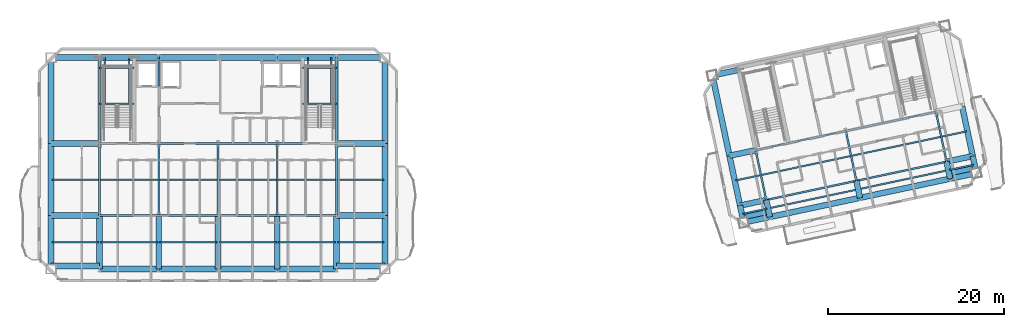
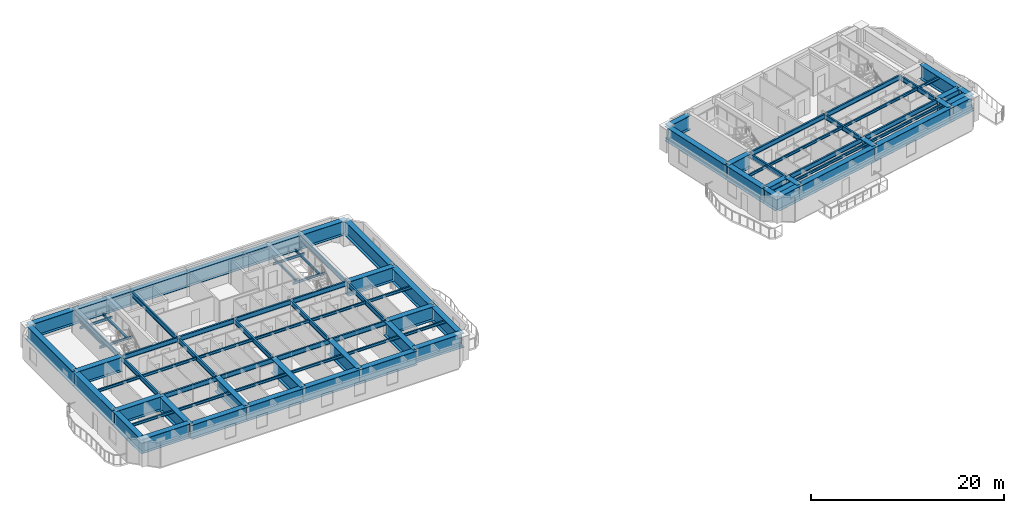
# One storey, part 3 of 16: 96 beams.
"""IFC4 building model written with IfcOpenShell, lengths in metres."""

from ifc_helpers import new_model, si_unit, direction, frame, origin, origin_2d, place, context, subcontext, project, spatial, i_section, extrude, material, material_profile, profile_set, type_object, element, save


model = new_model("IFC4")

# Units and contexts
model_context = context("Model", 3, precision=1e-05, world=origin(), true_north=direction((0.0, 1.0)))
body_context = subcontext(model_context, "Body", "Model", "MODEL_VIEW")
ifc_project = project(units=[si_unit("LENGTHUNIT", "METRE"), si_unit("AREAUNIT", "SQUARE_METRE"), si_unit("VOLUMEUNIT", "CUBIC_METRE"), si_unit("PLANEANGLEUNIT", "RADIAN"), si_unit("MASSUNIT", "GRAM", prefix="KILO")], contexts=[model_context])

# Site, building, storey
site_placement = place(None, origin())
site = spatial("IfcSite", under=ifc_project, at=site_placement, CompositionType="ELEMENT")
building_placement = place(site_placement, origin())
building = spatial("IfcBuilding", under=site, at=building_placement, Name="Haevon Station Towers", CompositionType="ELEMENT")
storey_placement = place(building_placement, frame((0.0, 0.0, 215.39990234375)))
storey = spatial("IfcBuildingStorey", under=building, at=storey_placement, Name="L59", CompositionType="ELEMENT", Elevation=215.39990234375)

# Beams
ifc_material_1 = material(Name="Steel S355", Category="steel")
ifc_material_profile_1 = material_profile(ifc_material_1, i_section(OverallWidth=0.199951171875, OverallDepth=0.60009765625, WebThickness=0.010986328125, FlangeThickness=0.01708984375, at=origin_2d()), Name="H-600x200x11x17")
ifc_profile_set_1 = profile_set([ifc_material_profile_1], Name="Steel S355")
beam_type_1 = type_object("IfcBeamType", Name="BM-G600", PredefinedType="BEAM", material=ifc_profile_set_1)
for number, where, z_axis, x_axis, name in (
    (1, (24.0, 30.0, 2.75), (1.0, 0.0, 0.0), (0.0, 1.0, 0.0), "BM-T1U-L59-02-02"),
    (2, (30.75, 30.0, 2.75), (1.0, 0.0, 0.0), (0.0, 1.0, 0.0), "BM-T1U-L59-02-03"),
    (3, (37.5, 30.0, 2.75), (1.0, 0.0, 0.0), (0.0, 1.0, 0.0), "BM-T1U-L59-02-04"),
    (4, (44.25, 30.0, 2.75), (1.0, 0.0, 0.0), (0.0, 1.0, 0.0), "BM-T1U-L59-02-05"),
    (5, (24.0, 38.199951171875, 2.75), (1.0, 0.0, 0.0), (0.0, 1.0, 0.0), "BM-T1U-L59-03-02"),
    (6, (30.75, 38.199951171875, 2.75), (1.0, 0.0, 0.0), (0.0, 1.0, 0.0), "BM-T1U-L59-03-03"),
    (7, (37.5, 38.199951171875, 2.75), (1.0, 0.0, 0.0), (0.0, 1.0, 0.0), "BM-T1U-L59-03-04"),
    (8, (44.25, 38.199951171875, 2.75), (1.0, 0.0, 0.0), (0.0, 1.0, 0.0), "BM-T1U-L59-03-05"),
):
    element("IfcBeam", number, at=place(storey_placement, frame(where, z_axis=z_axis, x_axis=x_axis)), inside=storey, type_object=beam_type_1, Name=name, PredefinedType="BEAM", context=body_context, shape_type="SweptSolid", body=[
        extrude(i_section(OverallWidth=0.199951171875, OverallDepth=0.60009765625, WebThickness=0.010986328125, FlangeThickness=0.01708984375, at=origin_2d()), origin(), (0.0, 0.0, 1.0), 6.75),
    ])
beam_1_placement = place(storey_placement, frame((24.0, 30.0, 2.75), z_axis=(0.0, 1.0, 0.0), x_axis=(-1.0, 0.0, 0.0)))
element("IfcBeam", 9, at=beam_1_placement, inside=storey, type_object=beam_type_1, Name="BM-T1V-L59-02-02", PredefinedType="BEAM", context=body_context, shape_type="SweptSolid", body=[
    extrude(i_section(OverallWidth=0.199951171875, OverallDepth=0.60009765625, WebThickness=0.010986328125, FlangeThickness=0.01708984375, at=origin_2d()), origin(), (0.0, 0.0, 1.0), 8.199951171875),
])
beam_2_placement = place(storey_placement, frame((24.0, 38.199951171875, 2.75), z_axis=(0.0, 1.0, 0.0), x_axis=(-1.0, 0.0, 0.0)))
element("IfcBeam", 10, at=beam_2_placement, inside=storey, type_object=beam_type_1, Name="BM-T1V-L59-02-03", PredefinedType="BEAM", context=body_context, shape_type="SweptSolid", body=[
    extrude(i_section(OverallWidth=0.199951171875, OverallDepth=0.60009765625, WebThickness=0.010986328125, FlangeThickness=0.01708984375, at=origin_2d()), origin(), (0.0, 0.0, 1.0), 9.800048828125),
])
beam_3_placement = place(storey_placement, frame((30.75, 30.0, 2.75), z_axis=(0.0, 1.0, 0.0), x_axis=(-1.0, 0.0, 0.0)))
element("IfcBeam", 11, at=beam_3_placement, inside=storey, type_object=beam_type_1, Name="BM-T1V-L59-03-02", PredefinedType="BEAM", context=body_context, shape_type="SweptSolid", body=[
    extrude(i_section(OverallWidth=0.199951171875, OverallDepth=0.60009765625, WebThickness=0.010986328125, FlangeThickness=0.01708984375, at=origin_2d()), origin(), (0.0, 0.0, 1.0), 8.199951171875),
])
beam_4_placement = place(storey_placement, frame((30.75, 38.199951171875, 2.75), z_axis=(0.0, 1.0, 0.0), x_axis=(-1.0, 0.0, 0.0)))
element("IfcBeam", 12, at=beam_4_placement, inside=storey, type_object=beam_type_1, Name="BM-T1V-L59-03-03", PredefinedType="BEAM", context=body_context, shape_type="SweptSolid", body=[
    extrude(i_section(OverallWidth=0.199951171875, OverallDepth=0.60009765625, WebThickness=0.010986328125, FlangeThickness=0.01708984375, at=origin_2d()), origin(), (0.0, 0.0, 1.0), 9.800048828125),
])
for number, where, z_axis, x_axis, name in (
    (13, (37.5, 30.0, 2.75), (0.0, 1.0, 0.0), (-1.0, 0.0, 0.0), "BM-T1V-L59-04-02"),
    (14, (44.25, 30.0, 2.75), (0.0, 1.0, 0.0), (-1.0, 0.0, 0.0), "BM-T1V-L59-05-02"),
    (15, (51.0, 30.0, 2.75), (0.0, 1.0, 0.0), (-1.0, 0.0, 0.0), "BM-T1V-L59-06-02"),
):
    element("IfcBeam", number, at=place(storey_placement, frame(where, z_axis=z_axis, x_axis=x_axis)), inside=storey, type_object=beam_type_1, Name=name, PredefinedType="BEAM", context=body_context, shape_type="SweptSolid", body=[
        extrude(i_section(OverallWidth=0.199951171875, OverallDepth=0.60009765625, WebThickness=0.010986328125, FlangeThickness=0.01708984375, at=origin_2d()), origin(), (0.0, 0.0, 1.0), 8.199951171875),
    ])
beam_5_placement = place(storey_placement, frame((51.0, 38.199951171875, 2.75), z_axis=(0.0, 1.0, 0.0), x_axis=(-1.0, 0.0, 0.0)))
element("IfcBeam", 16, at=beam_5_placement, inside=storey, type_object=beam_type_1, Name="BM-T1V-L59-06-03", PredefinedType="BEAM", context=body_context, shape_type="SweptSolid", body=[
    extrude(i_section(OverallWidth=0.199951171875, OverallDepth=0.60009765625, WebThickness=0.010986328125, FlangeThickness=0.01708984375, at=origin_2d()), origin(), (0.0, 0.0, 1.0), 9.800048828125),
])
for number, where, z_axis, x_axis, name in (
    (17, (99.958251953125, 31.76904296875, 2.75), (0.978146794194, 0.207915485254, 0.0), (-0.207915485254, 0.978146794194, 0.0), "BM-T2U-L59-02-02"),
    (18, (110.228759765625, 33.9521484375, 2.75), (0.978146794194, 0.207915485254, 0.0), (-0.207915485254, 0.978146794194, 0.0), "BM-T2U-L59-02-03"),
    (19, (98.75244140625, 37.4423828125, 2.75), (0.978146794194, 0.207915485254, 0.0), (-0.207915485254, 0.978146794194, 0.0), "BM-T2U-L59-03-02"),
    (20, (109.02294921875, 39.62548828125, 2.75), (0.978146794194, 0.207915485254, 0.0), (-0.207915485254, 0.978146794194, 0.0), "BM-T2U-L59-03-03"),
):
    element("IfcBeam", number, at=place(storey_placement, frame(where, z_axis=z_axis, x_axis=x_axis)), inside=storey, type_object=beam_type_1, Name=name, PredefinedType="BEAM", context=body_context, shape_type="SweptSolid", body=[
        extrude(i_section(OverallWidth=0.199951171875, OverallDepth=0.60009765625, WebThickness=0.010986328125, FlangeThickness=0.01708984375, at=origin_2d()), origin(), (0.0, 0.0, 1.0), 10.5),
    ])
for number, where, z_axis, x_axis, name in (
    (21, (99.958251953125, 31.76904296875, 2.75), (-0.207896009217, 0.97815093383, 0.0), (-0.97815093383, -0.207896009217, 0.0), "BM-T2V-L59-02-02"),
    (22, (110.228759765625, 33.9521484375, 2.75), (-0.207896009217, 0.97815093383, 0.0), (-0.97815093383, -0.207896009217, 0.0), "BM-T2V-L59-03-02"),
    (23, (120.499267578125, 36.13525390625, 2.75), (-0.207896009217, 0.97815093383, 0.0), (-0.97815093383, -0.207896009217, 0.0), "BM-T2V-L59-04-02"),
):
    element("IfcBeam", number, at=place(storey_placement, frame(where, z_axis=z_axis, x_axis=x_axis)), inside=storey, type_object=beam_type_1, Name=name, PredefinedType="BEAM", context=body_context, shape_type="SweptSolid", body=[
        extrude(i_section(OverallWidth=0.199951171875, OverallDepth=0.60009765625, WebThickness=0.010986328125, FlangeThickness=0.01708984375, at=origin_2d()), origin(), (0.0, 0.0, 1.0), 5.800048828125),
    ])
ifc_material_profile_2 = material_profile(ifc_material_1, i_section(OverallWidth=0.175048828125, OverallDepth=0.35009765625, WebThickness=0.007080078125, FlangeThickness=0.010986328125, at=origin_2d()), Name="H-350x175x7x11")
ifc_profile_set_2 = profile_set([ifc_material_profile_2], Name="Steel S355")
beam_type_2 = type_object("IfcBeamType", Name="BM-J350", PredefinedType="JOIST", material=ifc_profile_set_2)
beam_6_placement = place(storey_placement, frame((18.5849609375, 26.949951171875, 2.875), z_axis=(1.0, 0.0, 0.0), x_axis=(0.0, 1.0, 0.0)))
element("IfcBeam", 24, at=beam_6_placement, inside=storey, type_object=beam_type_2, Name="BM-T1J-L59-01-01", PredefinedType="JOIST", context=body_context, shape_type="SweptSolid", body=[
    extrude(i_section(OverallWidth=0.175048828125, OverallDepth=0.35009765625, WebThickness=0.007080078125, FlangeThickness=0.010986328125, at=origin_2d()), origin(), (0.0, 0.0, 1.0), 5.304931640625),
])
for number, where, z_axis, x_axis, name in (
    (25, (24.110107421875, 26.949951171875, 2.875), (1.0, 0.0, 0.0), (0.0, 1.0, 0.0), "BM-T1J-L59-01-02"),
    (26, (30.860107421875, 26.949951171875, 2.875), (1.0, 0.0, 0.0), (0.0, 1.0, 0.0), "BM-T1J-L59-01-03"),
    (27, (37.610107421875, 26.949951171875, 2.875), (1.0, 0.0, 0.0), (0.0, 1.0, 0.0), "BM-T1J-L59-01-04"),
    (28, (44.360107421875, 26.949951171875, 2.875), (1.0, 0.0, 0.0), (0.0, 1.0, 0.0), "BM-T1J-L59-01-05"),
):
    element("IfcBeam", number, at=place(storey_placement, frame(where, z_axis=z_axis, x_axis=x_axis)), inside=storey, type_object=beam_type_2, Name=name, PredefinedType="JOIST", context=body_context, shape_type="SweptSolid", body=[
        extrude(i_section(OverallWidth=0.175048828125, OverallDepth=0.35009765625, WebThickness=0.007080078125, FlangeThickness=0.010986328125, at=origin_2d()), origin(), (0.0, 0.0, 1.0), 6.52978515625),
    ])
for number, where, z_axis, x_axis, name in (
    (29, (51.110107421875, 26.949951171875, 2.875), (1.0, 0.0, 0.0), (0.0, 1.0, 0.0), "BM-T1J-L59-01-06"),
    (30, (18.5849609375, 34.10009765625, 2.875), (1.0, 0.0, 0.0), (0.0, 1.0, 0.0), "BM-T1J-L59-02-01"),
):
    element("IfcBeam", number, at=place(storey_placement, frame(where, z_axis=z_axis, x_axis=x_axis)), inside=storey, type_object=beam_type_2, Name=name, PredefinedType="JOIST", context=body_context, shape_type="SweptSolid", body=[
        extrude(i_section(OverallWidth=0.175048828125, OverallDepth=0.35009765625, WebThickness=0.007080078125, FlangeThickness=0.010986328125, at=origin_2d()), origin(), (0.0, 0.0, 1.0), 5.304931640625),
    ])
for number, where, z_axis, x_axis, name in (
    (31, (24.110107421875, 34.10009765625, 2.875), (1.0, 0.0, 0.0), (0.0, 1.0, 0.0), "BM-T1J-L59-02-02"),
    (32, (30.860107421875, 34.10009765625, 2.875), (1.0, 0.0, 0.0), (0.0, 1.0, 0.0), "BM-T1J-L59-02-03"),
    (33, (37.610107421875, 34.10009765625, 2.875), (1.0, 0.0, 0.0), (0.0, 1.0, 0.0), "BM-T1J-L59-02-04"),
    (34, (44.360107421875, 34.10009765625, 2.875), (1.0, 0.0, 0.0), (0.0, 1.0, 0.0), "BM-T1J-L59-02-05"),
):
    element("IfcBeam", number, at=place(storey_placement, frame(where, z_axis=z_axis, x_axis=x_axis)), inside=storey, type_object=beam_type_2, Name=name, PredefinedType="JOIST", context=body_context, shape_type="SweptSolid", body=[
        extrude(i_section(OverallWidth=0.175048828125, OverallDepth=0.35009765625, WebThickness=0.007080078125, FlangeThickness=0.010986328125, at=origin_2d()), origin(), (0.0, 0.0, 1.0), 6.52978515625),
    ])
beam_7_placement = place(storey_placement, frame((51.110107421875, 34.10009765625, 2.875), z_axis=(1.0, 0.0, 0.0), x_axis=(0.0, 1.0, 0.0)))
element("IfcBeam", 35, at=beam_7_placement, inside=storey, type_object=beam_type_2, Name="BM-T1J-L59-02-06", PredefinedType="JOIST", context=body_context, shape_type="SweptSolid", body=[
    extrude(i_section(OverallWidth=0.175048828125, OverallDepth=0.35009765625, WebThickness=0.007080078125, FlangeThickness=0.010986328125, at=origin_2d()), origin(), (0.0, 0.0, 1.0), 5.304931640625),
])
beam_8_placement = place(storey_placement, frame((97.288330078125, 30.189453125, 2.875), z_axis=(0.9781470094, 0.207914472804, 0.0), x_axis=(-0.207914472804, 0.9781470094, 0.0)))
element("IfcBeam", 36, at=beam_8_placement, inside=storey, type_object=beam_type_2, Name="BM-T2J-L59-01-01", PredefinedType="JOIST", context=body_context, shape_type="SweptSolid", body=[
    extrude(i_section(OverallWidth=0.175048828125, OverallDepth=0.35009765625, WebThickness=0.007080078125, FlangeThickness=0.010986328125, at=origin_2d()), origin(), (0.0, 0.0, 1.0), 2.829833984375),
])
beam_9_placement = place(storey_placement, frame((100.271728515625, 30.82373046875, 2.875), z_axis=(0.978149313139, 0.20790363442, 0.0), x_axis=(-0.20790363442, 0.978149313139, 0.0)))
element("IfcBeam", 37, at=beam_9_placement, inside=storey, type_object=beam_type_2, Name="BM-T2J-L59-01-02", PredefinedType="JOIST", context=body_context, shape_type="SweptSolid", body=[
    extrude(i_section(OverallWidth=0.175048828125, OverallDepth=0.35009765625, WebThickness=0.007080078125, FlangeThickness=0.010986328125, at=origin_2d()), origin(), (0.0, 0.0, 1.0), 10.27978515625),
])
beam_10_placement = place(storey_placement, frame((110.542236328125, 33.0068359375, 2.875), z_axis=(0.978150339653, 0.207898804801, 0.0), x_axis=(-0.207898804801, 0.978150339653, 0.0)))
element("IfcBeam", 38, at=beam_10_placement, inside=storey, type_object=beam_type_2, Name="BM-T2J-L59-01-03", PredefinedType="JOIST", context=body_context, shape_type="SweptSolid", body=[
    extrude(i_section(OverallWidth=0.175048828125, OverallDepth=0.35009765625, WebThickness=0.007080078125, FlangeThickness=0.010986328125, at=origin_2d()), origin(), (0.0, 0.0, 1.0), 10.280029296875),
])
beam_11_placement = place(storey_placement, frame((120.812744140625, 35.189697265625, 2.875), z_axis=(0.9781470094, 0.207914472804, 0.0), x_axis=(-0.207914472804, 0.9781470094, 0.0)))
element("IfcBeam", 39, at=beam_11_placement, inside=storey, type_object=beam_type_2, Name="BM-T2J-L59-01-04", PredefinedType="JOIST", context=body_context, shape_type="SweptSolid", body=[
    extrude(i_section(OverallWidth=0.175048828125, OverallDepth=0.35009765625, WebThickness=0.007080078125, FlangeThickness=0.010986328125, at=origin_2d()), origin(), (0.0, 0.0, 1.0), 2.829833984375),
])
beam_12_placement = place(storey_placement, frame((96.4794921875, 33.99462890625, 2.875), z_axis=(0.978150738312, 0.207896929124, 0.0), x_axis=(-0.207896929124, 0.978150738312, 0.0)))
element("IfcBeam", 40, at=beam_12_placement, inside=storey, type_object=beam_type_2, Name="BM-T2J-L59-02-01", PredefinedType="JOIST", context=body_context, shape_type="SweptSolid", body=[
    extrude(i_section(OverallWidth=0.175048828125, OverallDepth=0.35009765625, WebThickness=0.007080078125, FlangeThickness=0.010986328125, at=origin_2d()), origin(), (0.0, 0.0, 1.0), 2.830078125),
])
for number, where, z_axis, x_axis, name in (
    (41, (99.462890625, 34.628662109375, 2.875), (0.978150339653, 0.207898804801, 0.0), (-0.207898804801, 0.978150339653, 0.0), "BM-T2J-L59-02-02"),
    (42, (109.7333984375, 36.811767578125, 2.875), (0.978150339653, 0.207898804801, 0.0), (-0.207898804801, 0.978150339653, 0.0), "BM-T2J-L59-02-03"),
):
    element("IfcBeam", number, at=place(storey_placement, frame(where, z_axis=z_axis, x_axis=x_axis)), inside=storey, type_object=beam_type_2, Name=name, PredefinedType="JOIST", context=body_context, shape_type="SweptSolid", body=[
        extrude(i_section(OverallWidth=0.175048828125, OverallDepth=0.35009765625, WebThickness=0.007080078125, FlangeThickness=0.010986328125, at=origin_2d()), origin(), (0.0, 0.0, 1.0), 10.280029296875),
    ])
beam_13_placement = place(storey_placement, frame((120.00390625, 38.994873046875, 2.875), z_axis=(0.978150738312, 0.207896929124, 0.0), x_axis=(-0.207896929124, 0.978150738312, 0.0)))
element("IfcBeam", 43, at=beam_13_placement, inside=storey, type_object=beam_type_2, Name="BM-T2J-L59-02-04", PredefinedType="JOIST", context=body_context, shape_type="SweptSolid", body=[
    extrude(i_section(OverallWidth=0.175048828125, OverallDepth=0.35009765625, WebThickness=0.007080078125, FlangeThickness=0.010986328125, at=origin_2d()), origin(), (0.0, 0.0, 1.0), 2.830078125),
])
ifc_material_profile_3 = material_profile(ifc_material_1, i_section(OverallWidth=0.14990234375, OverallDepth=0.300048828125, WebThickness=0.006591796875, FlangeThickness=0.009033203125, at=origin_2d()), Name="H-300x150x6.5x9")
ifc_profile_set_3 = profile_set([ifc_material_profile_3], Name="Steel S355")
beam_type_3 = type_object("IfcBeamType", Name="BM-LIN300", PredefinedType="LINTEL", material=ifc_profile_set_3)
for number, where, z_axis, x_axis, name in (
    (44, (24.0, 42.743896484375, 1.300048828125), (1.0, 0.0, 0.0), (0.0, 1.0, 0.0), "BM-ST1L-L59-1-S"),
    (45, (24.0, 46.820068359375, 1.300048828125), (1.0, 0.0, 0.0), (0.0, 1.0, 0.0), "BM-ST1L-L59-1-N"),
):
    element("IfcBeam", number, at=place(storey_placement, frame(where, z_axis=z_axis, x_axis=x_axis)), inside=storey, type_object=beam_type_3, Name=name, PredefinedType="LINTEL", context=body_context, shape_type="SweptSolid", body=[
        extrude(i_section(OverallWidth=0.14990234375, OverallDepth=0.300048828125, WebThickness=0.006591796875, FlangeThickness=0.009033203125, at=origin_2d()), origin(), (0.0, 0.0, 1.0), 3.949951171875),
    ])
for number, where, z_axis, x_axis, name in (
    (46, (24.60009765625, 42.743896484375, 1.300048828125), (0.0, 1.0, 0.0), (-1.0, 0.0, 0.0), "BM-ST1L-L59-1-W"),
    (47, (27.35009765625, 42.743896484375, 1.300048828125), (0.0, 1.0, 0.0), (-1.0, 0.0, 0.0), "BM-ST1L-L59-1-E"),
):
    element("IfcBeam", number, at=place(storey_placement, frame(where, z_axis=z_axis, x_axis=x_axis)), inside=storey, type_object=beam_type_3, Name=name, PredefinedType="LINTEL", context=body_context, shape_type="SweptSolid", body=[
        extrude(i_section(OverallWidth=0.14990234375, OverallDepth=0.300048828125, WebThickness=0.006591796875, FlangeThickness=0.009033203125, at=origin_2d()), origin(), (0.0, 0.0, 1.0), 5.256103515625),
    ])
for number, where, z_axis, x_axis, name in (
    (48, (47.14990234375, 42.743896484375, 1.300048828125), (1.0, 0.0, 0.0), (0.0, 1.0, 0.0), "BM-ST2L-L59-1-S"),
    (49, (47.14990234375, 46.820068359375, 1.300048828125), (1.0, 0.0, 0.0), (0.0, 1.0, 0.0), "BM-ST2L-L59-1-N"),
):
    element("IfcBeam", number, at=place(storey_placement, frame(where, z_axis=z_axis, x_axis=x_axis)), inside=storey, type_object=beam_type_3, Name=name, PredefinedType="LINTEL", context=body_context, shape_type="SweptSolid", body=[
        extrude(i_section(OverallWidth=0.14990234375, OverallDepth=0.300048828125, WebThickness=0.006591796875, FlangeThickness=0.009033203125, at=origin_2d()), origin(), (0.0, 0.0, 1.0), 3.85009765625),
    ])
for number, where, z_axis, x_axis, name in (
    (50, (47.75, 42.743896484375, 1.300048828125), (0.0, 1.0, 0.0), (-1.0, 0.0, 0.0), "BM-ST2L-L59-1-W"),
    (51, (50.39990234375, 42.743896484375, 1.300048828125), (0.0, 1.0, 0.0), (-1.0, 0.0, 0.0), "BM-ST2L-L59-1-E"),
):
    element("IfcBeam", number, at=place(storey_placement, frame(where, z_axis=z_axis, x_axis=x_axis)), inside=storey, type_object=beam_type_3, Name=name, PredefinedType="LINTEL", context=body_context, shape_type="SweptSolid", body=[
        extrude(i_section(OverallWidth=0.14990234375, OverallDepth=0.300048828125, WebThickness=0.006591796875, FlangeThickness=0.009033203125, at=origin_2d()), origin(), (0.0, 0.0, 1.0), 5.256103515625),
    ])
ifc_material_2 = material(Name="Steel S460", Category="steel")
ifc_material_profile_4 = material_profile(ifc_material_2, i_section(OverallWidth=0.64990234375, OverallDepth=1.800048828125, WebThickness=0.02490234375, FlangeThickness=0.0400390625, at=origin_2d()), Name="H-1800x650x25x40")
ifc_profile_set_4 = profile_set([ifc_material_profile_4], Name="Steel S460")
beam_type_4 = type_object("IfcBeamType", Name="BM-TG1800", PredefinedType="BEAM", material=ifc_profile_set_4)
for number, where, z_axis, x_axis, name in (
    (52, (24.0, 23.89990234375, 2.150146484375), (1.0, 0.0, 0.0), (0.0, 1.0, 0.0), "BM-T1U-L59-01-02"),
    (53, (30.75, 23.89990234375, 2.150146484375), (1.0, 0.0, 0.0), (0.0, 1.0, 0.0), "BM-T1U-L59-01-03"),
    (54, (37.5, 23.89990234375, 2.150146484375), (1.0, 0.0, 0.0), (0.0, 1.0, 0.0), "BM-T1U-L59-01-04"),
    (55, (44.25, 23.89990234375, 2.150146484375), (1.0, 0.0, 0.0), (0.0, 1.0, 0.0), "BM-T1U-L59-01-05"),
):
    element("IfcBeam", number, at=place(storey_placement, frame(where, z_axis=z_axis, x_axis=x_axis)), inside=storey, type_object=beam_type_4, Name=name, PredefinedType="BEAM", context=body_context, shape_type="SweptSolid", body=[
        extrude(i_section(OverallWidth=0.64990234375, OverallDepth=1.800048828125, WebThickness=0.02490234375, FlangeThickness=0.0400390625, at=origin_2d()), origin(), (0.0, 0.0, 1.0), 6.75),
    ])
for number, where, z_axis, x_axis, name in (
    (56, (18.47509765625, 30.0, 2.150146484375), (1.0, 0.0, 0.0), (0.0, 1.0, 0.0), "BM-T1U-L59-02-01"),
    (57, (51.0, 30.0, 2.150146484375), (1.0, 0.0, 0.0), (0.0, 1.0, 0.0), "BM-T1U-L59-02-06"),
    (58, (18.47509765625, 38.199951171875, 2.150146484375), (1.0, 0.0, 0.0), (0.0, 1.0, 0.0), "BM-T1U-L59-03-01"),
    (59, (51.0, 38.199951171875, 2.150146484375), (1.0, 0.0, 0.0), (0.0, 1.0, 0.0), "BM-T1U-L59-03-06"),
    (60, (18.47509765625, 48.0, 2.150146484375), (1.0, 0.0, 0.0), (0.0, 1.0, 0.0), "BM-T1U-L59-04-01"),
):
    element("IfcBeam", number, at=place(storey_placement, frame(where, z_axis=z_axis, x_axis=x_axis)), inside=storey, type_object=beam_type_4, Name=name, PredefinedType="BEAM", context=body_context, shape_type="SweptSolid", body=[
        extrude(i_section(OverallWidth=0.64990234375, OverallDepth=1.800048828125, WebThickness=0.02490234375, FlangeThickness=0.0400390625, at=origin_2d()), origin(), (0.0, 0.0, 1.0), 5.52490234375),
    ])
for number, where, z_axis, x_axis, name in (
    (61, (24.0, 48.0, 2.150146484375), (1.0, 0.0, 0.0), (0.0, 1.0, 0.0), "BM-T1U-L59-04-02"),
    (62, (30.75, 48.0, 2.150146484375), (1.0, 0.0, 0.0), (0.0, 1.0, 0.0), "BM-T1U-L59-04-03"),
    (63, (37.5, 48.0, 2.150146484375), (1.0, 0.0, 0.0), (0.0, 1.0, 0.0), "BM-T1U-L59-04-04"),
    (64, (44.25, 48.0, 2.150146484375), (1.0, 0.0, 0.0), (0.0, 1.0, 0.0), "BM-T1U-L59-04-05"),
):
    element("IfcBeam", number, at=place(storey_placement, frame(where, z_axis=z_axis, x_axis=x_axis)), inside=storey, type_object=beam_type_4, Name=name, PredefinedType="BEAM", context=body_context, shape_type="SweptSolid", body=[
        extrude(i_section(OverallWidth=0.64990234375, OverallDepth=1.800048828125, WebThickness=0.02490234375, FlangeThickness=0.0400390625, at=origin_2d()), origin(), (0.0, 0.0, 1.0), 6.75),
    ])
beam_14_placement = place(storey_placement, frame((51.0, 48.0, 2.150146484375), z_axis=(1.0, 0.0, 0.0), x_axis=(0.0, 1.0, 0.0)))
element("IfcBeam", 65, at=beam_14_placement, inside=storey, type_object=beam_type_4, Name="BM-T1U-L59-04-06", PredefinedType="BEAM", context=body_context, shape_type="SweptSolid", body=[
    extrude(i_section(OverallWidth=0.64990234375, OverallDepth=1.800048828125, WebThickness=0.02490234375, FlangeThickness=0.0400390625, at=origin_2d()), origin(), (0.0, 0.0, 1.0), 5.52490234375),
])
beam_15_placement = place(storey_placement, frame((18.47509765625, 23.89990234375, 2.150146484375), z_axis=(0.0, 1.0, 0.0), x_axis=(-1.0, 0.0, 0.0)))
element("IfcBeam", 66, at=beam_15_placement, inside=storey, type_object=beam_type_4, Name="BM-T1V-L59-01-01", PredefinedType="BEAM", context=body_context, shape_type="SweptSolid", body=[
    extrude(i_section(OverallWidth=0.64990234375, OverallDepth=1.800048828125, WebThickness=0.02490234375, FlangeThickness=0.0400390625, at=origin_2d()), origin(), (0.0, 0.0, 1.0), 6.10009765625),
])
beam_16_placement = place(storey_placement, frame((18.47509765625, 30.0, 2.150146484375), z_axis=(0.0, 1.0, 0.0), x_axis=(-1.0, 0.0, 0.0)))
element("IfcBeam", 67, at=beam_16_placement, inside=storey, type_object=beam_type_4, Name="BM-T1V-L59-01-02", PredefinedType="BEAM", context=body_context, shape_type="SweptSolid", body=[
    extrude(i_section(OverallWidth=0.64990234375, OverallDepth=1.800048828125, WebThickness=0.02490234375, FlangeThickness=0.0400390625, at=origin_2d()), origin(), (0.0, 0.0, 1.0), 8.199951171875),
])
beam_17_placement = place(storey_placement, frame((18.47509765625, 38.199951171875, 2.150146484375), z_axis=(0.0, 1.0, 0.0), x_axis=(-1.0, 0.0, 0.0)))
element("IfcBeam", 68, at=beam_17_placement, inside=storey, type_object=beam_type_4, Name="BM-T1V-L59-01-03", PredefinedType="BEAM", context=body_context, shape_type="SweptSolid", body=[
    extrude(i_section(OverallWidth=0.64990234375, OverallDepth=1.800048828125, WebThickness=0.02490234375, FlangeThickness=0.0400390625, at=origin_2d()), origin(), (0.0, 0.0, 1.0), 9.800048828125),
])
for number, where, z_axis, x_axis, name in (
    (69, (24.0, 23.89990234375, 2.150146484375), (0.0, 1.0, 0.0), (-1.0, 0.0, 0.0), "BM-T1V-L59-02-01"),
    (70, (30.75, 23.89990234375, 2.150146484375), (0.0, 1.0, 0.0), (-1.0, 0.0, 0.0), "BM-T1V-L59-03-01"),
    (71, (37.5, 23.89990234375, 2.150146484375), (0.0, 1.0, 0.0), (-1.0, 0.0, 0.0), "BM-T1V-L59-04-01"),
    (72, (44.25, 23.89990234375, 2.150146484375), (0.0, 1.0, 0.0), (-1.0, 0.0, 0.0), "BM-T1V-L59-05-01"),
    (73, (51.0, 23.89990234375, 2.150146484375), (0.0, 1.0, 0.0), (-1.0, 0.0, 0.0), "BM-T1V-L59-06-01"),
    (74, (56.52490234375, 23.89990234375, 2.150146484375), (0.0, 1.0, 0.0), (-1.0, 0.0, 0.0), "BM-T1V-L59-07-01"),
):
    element("IfcBeam", number, at=place(storey_placement, frame(where, z_axis=z_axis, x_axis=x_axis)), inside=storey, type_object=beam_type_4, Name=name, PredefinedType="BEAM", context=body_context, shape_type="SweptSolid", body=[
        extrude(i_section(OverallWidth=0.64990234375, OverallDepth=1.800048828125, WebThickness=0.02490234375, FlangeThickness=0.0400390625, at=origin_2d()), origin(), (0.0, 0.0, 1.0), 6.10009765625),
    ])
beam_18_placement = place(storey_placement, frame((56.52490234375, 30.0, 2.150146484375), z_axis=(0.0, 1.0, 0.0), x_axis=(-1.0, 0.0, 0.0)))
element("IfcBeam", 75, at=beam_18_placement, inside=storey, type_object=beam_type_4, Name="BM-T1V-L59-07-02", PredefinedType="BEAM", context=body_context, shape_type="SweptSolid", body=[
    extrude(i_section(OverallWidth=0.64990234375, OverallDepth=1.800048828125, WebThickness=0.02490234375, FlangeThickness=0.0400390625, at=origin_2d()), origin(), (0.0, 0.0, 1.0), 8.199951171875),
])
beam_19_placement = place(storey_placement, frame((56.52490234375, 38.199951171875, 2.150146484375), z_axis=(0.0, 1.0, 0.0), x_axis=(-1.0, 0.0, 0.0)))
element("IfcBeam", 76, at=beam_19_placement, inside=storey, type_object=beam_type_4, Name="BM-T1V-L59-07-03", PredefinedType="BEAM", context=body_context, shape_type="SweptSolid", body=[
    extrude(i_section(OverallWidth=0.64990234375, OverallDepth=1.800048828125, WebThickness=0.02490234375, FlangeThickness=0.0400390625, at=origin_2d()), origin(), (0.0, 0.0, 1.0), 9.800048828125),
])
for number, where, z_axis, x_axis, name in (
    (77, (18.47509765625, 24.25, 2.150146484375), (1.0, 0.0, 0.0), (0.0, 1.0, 0.0), "BM-T1CTRN-L59-1"),
    (78, (51.0, 24.25, 2.150146484375), (1.0, 0.0, 0.0), (0.0, 1.0, 0.0), "BM-T1CTRN-L59-2"),
):
    element("IfcBeam", number, at=place(storey_placement, frame(where, z_axis=z_axis, x_axis=x_axis)), inside=storey, type_object=beam_type_4, Name=name, PredefinedType="BEAM", context=body_context, shape_type="SweptSolid", body=[
        extrude(i_section(OverallWidth=0.64990234375, OverallDepth=1.800048828125, WebThickness=0.02490234375, FlangeThickness=0.0400390625, at=origin_2d()), origin(), (0.0, 0.0, 1.0), 5.52490234375),
    ])
beam_20_placement = place(storey_placement, frame((97.386474609375, 29.1982421875, 2.150146484375), z_axis=(0.978138503145, 0.207954487003, 0.0), x_axis=(-0.207954487003, 0.978138503145, 0.0)))
element("IfcBeam", 79, at=beam_20_placement, inside=storey, type_object=beam_type_4, Name="BM-T2U-L59-01-01", PredefinedType="BEAM", context=body_context, shape_type="SweptSolid", body=[
    extrude(i_section(OverallWidth=0.64990234375, OverallDepth=1.800048828125, WebThickness=0.02490234375, FlangeThickness=0.0400390625, at=origin_2d()), origin(), (0.0, 0.0, 1.0), 3.050048828125),
])
for number, where, z_axis, x_axis, name in (
    (80, (100.369873046875, 29.83251953125, 2.150146484375), (0.978151522678, 0.207893238667, 0.0), (-0.207893238667, 0.978151522678, 0.0), "BM-T2U-L59-01-02"),
    (81, (110.640380859375, 32.015380859375, 2.150146484375), (0.978146794194, 0.207915485254, 0.0), (-0.207915485254, 0.978146794194, 0.0), "BM-T2U-L59-01-03"),
):
    element("IfcBeam", number, at=place(storey_placement, frame(where, z_axis=z_axis, x_axis=x_axis)), inside=storey, type_object=beam_type_4, Name=name, PredefinedType="BEAM", context=body_context, shape_type="SweptSolid", body=[
        extrude(i_section(OverallWidth=0.64990234375, OverallDepth=1.800048828125, WebThickness=0.02490234375, FlangeThickness=0.0400390625, at=origin_2d()), origin(), (0.0, 0.0, 1.0), 10.5),
    ])
for number, where, z_axis, x_axis, name in (
    (82, (120.910888671875, 34.198486328125, 2.150146484375), (0.978138503145, 0.207954487003, 0.0), (-0.207954487003, 0.978138503145, 0.0), "BM-T2U-L59-01-04"),
    (83, (96.974853515625, 31.135009765625, 2.150146484375), (0.978154782045, 0.207877902534, 0.0), (-0.207877902534, 0.978154782045, 0.0), "BM-T2U-L59-02-01"),
    (84, (120.499267578125, 36.13525390625, 2.150146484375), (0.978138503145, 0.207954487003, 0.0), (-0.207954487003, 0.978138503145, 0.0), "BM-T2U-L59-02-04"),
    (85, (95.76904296875, 36.808349609375, 2.150146484375), (0.978154782045, 0.207877902534, 0.0), (-0.207877902534, 0.978154782045, 0.0), "BM-T2U-L59-03-01"),
    (86, (93.824951171875, 45.953857421875, 2.150146484375), (0.978138503145, 0.207954487003, 0.0), (-0.207954487003, 0.978138503145, 0.0), "BM-T2U-L59-04-01"),
):
    element("IfcBeam", number, at=place(storey_placement, frame(where, z_axis=z_axis, x_axis=x_axis)), inside=storey, type_object=beam_type_4, Name=name, PredefinedType="BEAM", context=body_context, shape_type="SweptSolid", body=[
        extrude(i_section(OverallWidth=0.64990234375, OverallDepth=1.800048828125, WebThickness=0.02490234375, FlangeThickness=0.0400390625, at=origin_2d()), origin(), (0.0, 0.0, 1.0), 3.050048828125),
    ])
beam_21_placement = place(storey_placement, frame((97.386474609375, 29.1982421875, 2.150146484375), z_axis=(-0.207886774674, 0.978152896492, 0.0), x_axis=(-0.978152896492, -0.207886774674, 0.0)))
element("IfcBeam", 87, at=beam_21_placement, inside=storey, type_object=beam_type_4, Name="BM-T2V-L59-01-01", PredefinedType="BEAM", context=body_context, shape_type="SweptSolid", body=[
    extrude(i_section(OverallWidth=0.64990234375, OverallDepth=1.800048828125, WebThickness=0.02490234375, FlangeThickness=0.0400390625, at=origin_2d()), origin(), (0.0, 0.0, 1.0), 1.97998046875),
])
beam_22_placement = place(storey_placement, frame((96.974853515625, 31.135009765625, 2.150146484375), z_axis=(-0.207896009217, 0.97815093383, 0.0), x_axis=(-0.97815093383, -0.207896009217, 0.0)))
element("IfcBeam", 88, at=beam_22_placement, inside=storey, type_object=beam_type_4, Name="BM-T2V-L59-01-02", PredefinedType="BEAM", context=body_context, shape_type="SweptSolid", body=[
    extrude(i_section(OverallWidth=0.64990234375, OverallDepth=1.800048828125, WebThickness=0.02490234375, FlangeThickness=0.0400390625, at=origin_2d()), origin(), (0.0, 0.0, 1.0), 5.800048828125),
])
beam_23_placement = place(storey_placement, frame((95.76904296875, 36.808349609375, 2.150146484375), z_axis=(-0.207927460032, 0.978144248751, 0.0), x_axis=(-0.978144248751, -0.207927460032, 0.0)))
element("IfcBeam", 89, at=beam_23_placement, inside=storey, type_object=beam_type_4, Name="BM-T2V-L59-01-03", PredefinedType="BEAM", context=body_context, shape_type="SweptSolid", body=[
    extrude(i_section(OverallWidth=0.64990234375, OverallDepth=1.800048828125, WebThickness=0.02490234375, FlangeThickness=0.0400390625, at=origin_2d()), origin(), (0.0, 0.0, 1.0), 9.349853515625),
])
beam_24_placement = place(storey_placement, frame((100.369873046875, 29.83251953125, 2.150146484375), z_axis=(-0.207911850433, 0.978147566806, 0.0), x_axis=(-0.978147566806, -0.207911850433, 0.0)))
element("IfcBeam", 90, at=beam_24_placement, inside=storey, type_object=beam_type_4, Name="BM-T2V-L59-02-01", PredefinedType="BEAM", context=body_context, shape_type="SweptSolid", body=[
    extrude(i_section(OverallWidth=0.64990234375, OverallDepth=1.800048828125, WebThickness=0.02490234375, FlangeThickness=0.0400390625, at=origin_2d()), origin(), (0.0, 0.0, 1.0), 1.979736328125),
])
for number, where, z_axis, x_axis, name in (
    (91, (110.640380859375, 32.015380859375, 2.150146484375), (-0.207886774674, 0.978152896492, 0.0), (-0.978152896492, -0.207886774674, 0.0), "BM-T2V-L59-03-01"),
    (92, (120.910888671875, 34.198486328125, 2.150146484375), (-0.207886774674, 0.978152896492, 0.0), (-0.978152896492, -0.207886774674, 0.0), "BM-T2V-L59-04-01"),
    (93, (123.894287109375, 34.832763671875, 2.150146484375), (-0.207886774674, 0.978152896492, 0.0), (-0.978152896492, -0.207886774674, 0.0), "BM-T2V-L59-05-01"),
):
    element("IfcBeam", number, at=place(storey_placement, frame(where, z_axis=z_axis, x_axis=x_axis)), inside=storey, type_object=beam_type_4, Name=name, PredefinedType="BEAM", context=body_context, shape_type="SweptSolid", body=[
        extrude(i_section(OverallWidth=0.64990234375, OverallDepth=1.800048828125, WebThickness=0.02490234375, FlangeThickness=0.0400390625, at=origin_2d()), origin(), (0.0, 0.0, 1.0), 1.97998046875),
    ])
beam_25_placement = place(storey_placement, frame((123.482666015625, 36.76953125, 2.150146484375), z_axis=(-0.207904569273, 0.978149114438, 0.0), x_axis=(-0.978149114438, -0.207904569273, 0.0)))
element("IfcBeam", 94, at=beam_25_placement, inside=storey, type_object=beam_type_4, Name="BM-T2V-L59-05-02", PredefinedType="BEAM", context=body_context, shape_type="SweptSolid", body=[
    extrude(i_section(OverallWidth=0.64990234375, OverallDepth=1.800048828125, WebThickness=0.02490234375, FlangeThickness=0.0400390625, at=origin_2d()), origin(), (0.0, 0.0, 1.0), 5.7998046875),
])
for number, where, z_axis, x_axis, name in (
    (95, (97.25341796875, 29.82421875, 2.150146484375), (0.978138503145, 0.207954487003, 0.0), (-0.207954487003, 0.978138503145, 0.0), "BM-T2CTRN-L59-1"),
    (96, (120.77783203125, 34.824462890625, 2.150146484375), (0.978138503145, 0.207954487003, 0.0), (-0.207954487003, 0.978138503145, 0.0), "BM-T2CTRN-L59-2"),
):
    element("IfcBeam", number, at=place(storey_placement, frame(where, z_axis=z_axis, x_axis=x_axis)), inside=storey, type_object=beam_type_4, Name=name, PredefinedType="BEAM", context=body_context, shape_type="SweptSolid", body=[
        extrude(i_section(OverallWidth=0.64990234375, OverallDepth=1.800048828125, WebThickness=0.02490234375, FlangeThickness=0.0400390625, at=origin_2d()), origin(), (0.0, 0.0, 1.0), 3.050048828125),
    ])

save(model, "model.ifc")
